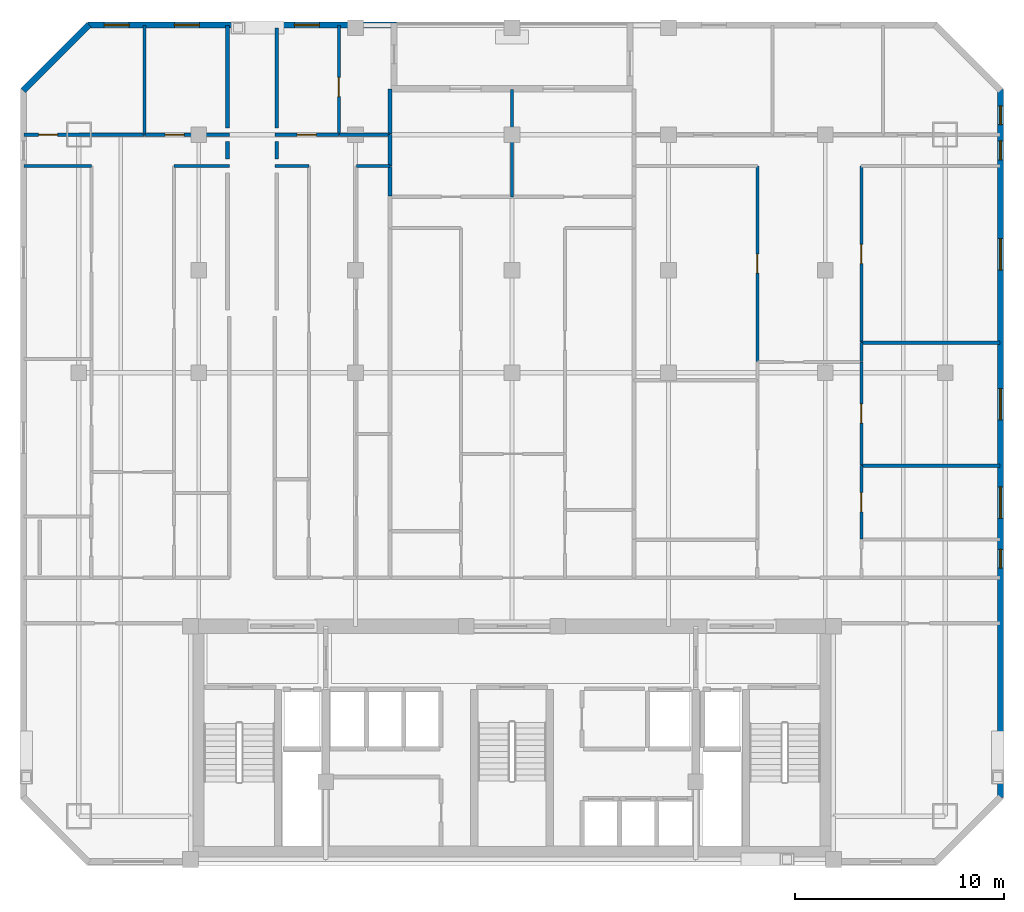
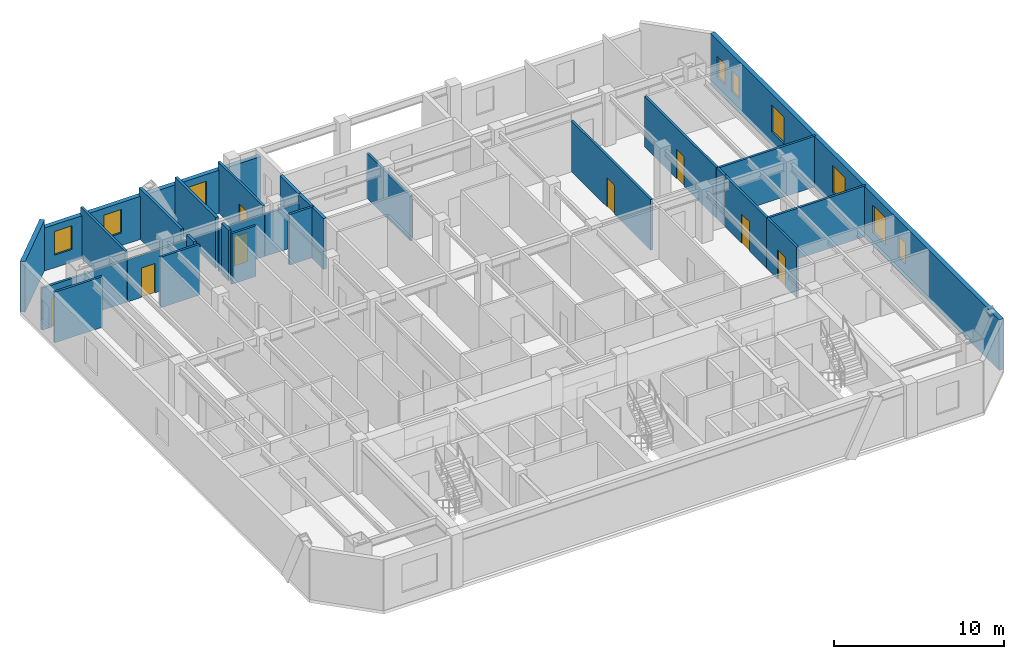
# One storey, part 6 of 8: 28 walls, 9 windows, 8 doors, 17 openings.
"""IFC4 building model written with IfcOpenShell, lengths in metres."""

from ifc_helpers import new_model, si_unit, direction, frame, frame_2d, origin, place, context, subcontext, project, spatial, rectangle, extrude, material, layer, layer_set, type_object, element, fill, save


model = new_model("IFC4")

# Units and contexts
model_context = context("Model", 3, precision=1e-05, world=origin(), true_north=direction((0.0, 1.0)))
body_context = subcontext(model_context, "Body", "Model", "MODEL_VIEW")
ifc_project = project(units=[si_unit("LENGTHUNIT", "METRE"), si_unit("AREAUNIT", "SQUARE_METRE"), si_unit("VOLUMEUNIT", "CUBIC_METRE"), si_unit("PLANEANGLEUNIT", "RADIAN"), si_unit("MASSUNIT", "GRAM", prefix="KILO")], contexts=[model_context])

# Site, building, storey
site_placement = place(None, origin())
site = spatial("IfcSite", under=ifc_project, at=site_placement, CompositionType="ELEMENT")
building_placement = place(site_placement, origin())
building = spatial("IfcBuilding", under=site, at=building_placement, Name="Ventersveld Concourse Tower", CompositionType="ELEMENT")
storey_placement = place(building_placement, frame((0.0, 0.0, 179.85009765625)))
storey = spatial("IfcBuildingStorey", under=building, at=storey_placement, Name="L44", CompositionType="ELEMENT", Elevation=179.85009765625)

# Walls
ifc_material_1 = material(Name="Fire-rated autoclaved aerated masonry blockwork", Category="masonry")
ifc_layer_1 = layer(ifc_material_1, 0.179931640625)
ifc_layer_set_1 = layer_set([ifc_layer_1], Name="Fire-rated autoclaved aerated masonry blockwork")
wall_type_1 = type_object("IfcWallType", Name="WL-CORR-180", PredefinedType="PARTITIONING", material=ifc_layer_set_1)
wall_1_placement = place(storey_placement, frame((15.1201171875, 34.675048828125, 0.0), z_axis=(0.0, 0.0, 1.0), x_axis=(0.0, -1.0, 0.0)))
element("IfcWall", 1, at=wall_1_placement, inside=storey, type_object=wall_type_1, Name="L44 Room Enclosure Wall SP-L44-44NW-LIV", PredefinedType="PARTITIONING", context=body_context, shape_type="SweptSolid", body=[
    extrude(rectangle(XDim=0.85009765625, YDim=0.179931640625, at=frame_2d((0.425048828125, 0.0))), origin(), (0.0, 0.0, 1.0), 3.6298828125),
])
wall_2_placement = place(storey_placement, frame((15.1201171875, 40.2275390625, 0.0), z_axis=(0.0, 0.0, 1.0), x_axis=(0.0, -1.0, 0.0)))
element("IfcWall", 2, at=wall_2_placement, inside=storey, type_object=wall_type_1, Name="L44 Room Enclosure Wall SP-L44-44NW-BR2", PredefinedType="PARTITIONING", context=body_context, shape_type="SweptSolid", body=[
    extrude(rectangle(XDim=4.902587890625, YDim=0.179931640625, at=frame_2d((2.451171875, 0.0))), origin(), (0.0, 0.0, 1.0), 3.6298828125),
])
wall_3_placement = place(storey_placement, frame((17.47998046875, 33.824951171875, 0.0), z_axis=(0.0, 0.0, 1.0), x_axis=(0.0, 1.0, 0.0)))
element("IfcWall", 3, at=wall_3_placement, inside=storey, type_object=wall_type_1, Name="L44 Room Enclosure Wall SP-L44-44CW-LIV", PredefinedType="PARTITIONING", context=body_context, shape_type="SweptSolid", body=[
    extrude(rectangle(XDim=0.85009765625, YDim=0.179931640625, at=frame_2d((0.425048828125, 0.0))), origin(), (0.0, 0.0, 1.0), 3.6298828125),
])
wall_4_placement = place(storey_placement, frame((17.47998046875, 35.324951171875, 0.0), z_axis=(0.0, 0.0, 1.0), x_axis=(0.0, 1.0, 0.0)))
element("IfcWall", 4, at=wall_4_placement, inside=storey, type_object=wall_type_1, Name="L44 Room Enclosure Wall SP-L44-44CW-BR1", PredefinedType="PARTITIONING", context=body_context, shape_type="SweptSolid", body=[
    extrude(rectangle(XDim=4.777099609375, YDim=0.179931640625, at=frame_2d((2.388671875, 0.0))), origin(), (0.0, 0.0, 1.0), 3.6298828125),
])
ifc_layer_2 = layer(ifc_material_1, 0.199951171875)
ifc_layer_set_2 = layer_set([ifc_layer_2], Name="Fire-rated autoclaved aerated masonry blockwork")
wall_type_2 = type_object("IfcWallType", Name="WL-DEMISE-200", PredefinedType="PARTITIONING", material=ifc_layer_set_2)
wall_5_placement = place(storey_placement, frame((22.909912109375, 33.4951171875, 0.0), z_axis=(0.0, 0.0, 1.0), x_axis=(0.0, 1.0, 0.0)))
element("IfcWall", 5, at=wall_5_placement, inside=storey, type_object=wall_type_2, Name="L44 Interior Partition SP-L44-44CW-LIV-SP-L44-44CM-BR1", PredefinedType="PARTITIONING", context=body_context, shape_type="SweptSolid", body=[
    extrude(rectangle(XDim=1.509765625, YDim=0.199951171875, at=frame_2d((0.7548828125, 0.0))), origin(), (0.0, 0.0, 1.0), 3.6298828125),
])
wall_6_placement = place(storey_placement, frame((22.909912109375, 32.06494140625, 0.0), z_axis=(0.0, 0.0, 1.0), x_axis=(0.0, 1.0, 0.0)))
element("IfcWall", 6, at=wall_6_placement, inside=storey, type_object=wall_type_2, Name="L44 Interior Partition SP-L44-44CW-SEMR1-SP-L44-44CM-BR1", PredefinedType="PARTITIONING", context=body_context, shape_type="SweptSolid", body=[
    extrude(rectangle(XDim=1.400146484375, YDim=0.199951171875, at=frame_2d((0.7001953125, 0.0))), origin(), (0.0, 0.0, 1.0), 3.6298828125),
])
wall_7_placement = place(storey_placement, frame((22.909912109375, 35.034912109375, 0.0), z_axis=(0.0, 0.0, 1.0), x_axis=(0.0, 1.0, 0.0)))
element("IfcWall", 7, at=wall_7_placement, inside=storey, type_object=wall_type_2, Name="L44 Interior Partition SP-L44-44CW-BR2-SP-L44-44CM-BR1", PredefinedType="PARTITIONING", context=body_context, shape_type="SweptSolid", body=[
    extrude(rectangle(XDim=2.148193359375, YDim=0.199951171875, at=frame_2d((1.07421875, 0.0))), origin(), (0.0, 0.0, 1.0), 3.6298828125),
])
ifc_material_2 = material(Name="Autoclaved aerated masonry blockwork", Category="masonry")
ifc_layer_3 = layer(ifc_material_2, 0.14990234375)
ifc_layer_set_3 = layer_set([ifc_layer_3], Name="Autoclaved aerated masonry blockwork")
wall_type_3 = type_object("IfcWallType", Name="WL-INT-150", PredefinedType="PARTITIONING", material=ifc_layer_set_3)
wall_8_placement = place(storey_placement, frame((5.37255859375, 33.5, 0.0), z_axis=(0.0, 0.0, 1.0), x_axis=(1.0, 0.0, 0.0)))
element("IfcWall", 8, at=wall_8_placement, inside=storey, type_object=wall_type_3, Name="L44 Interior Partition SP-L44-44NW-LIV-SP-L44-44NW-SEML2", PredefinedType="PARTITIONING", context=body_context, shape_type="SweptSolid", body=[
    extrude(rectangle(XDim=3.235107421875, YDim=0.14990234375, at=frame_2d((1.61767578125, 0.0))), origin(), (0.0, 0.0, 1.0), 3.6298828125),
])
wall_9_placement = place(storey_placement, frame((12.5576171875, 33.5, 0.0), z_axis=(0.0, 0.0, 1.0), x_axis=(1.0, 0.0, 0.0)))
element("IfcWall", 9, at=wall_9_placement, inside=storey, type_object=wall_type_3, Name="L44 Interior Partition SP-L44-44NW-LIV-SP-L44-44NW-SEMR1", PredefinedType="PARTITIONING", context=body_context, shape_type="SweptSolid", body=[
    extrude(rectangle(XDim=2.657470703125, YDim=0.14990234375, at=frame_2d((1.32861328125, 0.0))), origin(), (0.0, 0.0, 1.0), 3.6298828125),
])

# Wall, opening, door
wall_10_placement = place(storey_placement, frame((5.37255859375, 35.0, 0.0), z_axis=(0.0, 0.0, 1.0), x_axis=(1.0, 0.0, 0.0)))
wall_10 = element("IfcWall", 10, at=wall_10_placement, inside=storey, type_object=wall_type_3, Name="L44 Interior Partition SP-L44-44NW-LIV-SP-L44-44NW-BR1", PredefinedType="PARTITIONING", context=body_context, shape_type="SweptSolid", body=[
    extrude(rectangle(XDim=5.771240234375, YDim=0.14990234375, at=frame_2d((2.8857421875, 0.0))), origin(), (0.0, 0.0, 1.0), 3.0126953125),
])
opening_1_placement = place(wall_10_placement, frame((0.6943359375, 0.0, 0.0)))
opening_1 = element("IfcOpeningElement", 11, at=opening_1_placement, cuts=wall_10, Name="Opening ID1", PredefinedType="OPENING", context=body_context, shape_type="SweptSolid", body=[
    extrude(rectangle(XDim=0.919921875, YDim=2.10009765625, at=frame_2d((0.4599609375, 1.050048828125))), frame((0.0, 0.0849609375, 0.0), z_axis=(0.0, -1.0, 0.0), x_axis=(1.0, 0.0, 0.0)), (0.0, 0.0, 1.0), 0.169921875),
])
ifc_material_3 = material(Name="Solid-core hardwood veneer timber", Category="wood")
door_type = type_object("IfcDoorType", Name="DR-ROOM-092", OperationType="NOTDEFINED", PredefinedType="DOOR", material=ifc_material_3)
door_1_placement = place(opening_1_placement, origin())
door_1 = element("IfcDoor", 12, at=door_1_placement, inside=storey, type_object=door_type, Name="L44 Interior Door SP-L44-44NW-LIV to SP-L44-44NW-BR1 (D-L44-2164)", OperationType="SINGLE_SWING_RIGHT", OverallHeight=2.10009765625, OverallWidth=0.919921875, PredefinedType="DOOR", context=body_context, shape_type="SweptSolid", body=[
    extrude(rectangle(XDim=0.919921875, YDim=2.10009765625, at=frame_2d((0.4599609375, 1.050048828125))), frame((0.0, 0.02490234375, 0.0), z_axis=(0.0, -1.0, 0.0), x_axis=(1.0, 0.0, 0.0)), (0.0, 0.0, 1.0), 0.050048828125),
])
fill(opening_1, door_1)

wall_11_placement = place(storey_placement, frame((11.173828125, 35.0, 0.0), z_axis=(0.0, 0.0, 1.0), x_axis=(1.0, 0.0, 0.0)))
wall_11 = element("IfcWall", 13, at=wall_11_placement, inside=storey, type_object=wall_type_3, Name="L44 Interior Partition SP-L44-44NW-LIV-SP-L44-44NW-BR2", PredefinedType="PARTITIONING", context=body_context, shape_type="SweptSolid", body=[
    extrude(rectangle(XDim=4.041259765625, YDim=0.14990234375, at=frame_2d((2.0205078125, 0.0))), origin(), (0.0, 0.0, 1.0), 3.0126953125),
])
opening_2_placement = place(wall_11_placement, frame((0.954345703125, 0.0, 0.0)))
opening_2 = element("IfcOpeningElement", 14, at=opening_2_placement, cuts=wall_11, Name="Opening ID1", PredefinedType="OPENING", context=body_context, shape_type="SweptSolid", body=[
    extrude(rectangle(XDim=0.919921875, YDim=2.10009765625, at=frame_2d((0.4599609375, 1.050048828125))), frame((0.0, 0.0849609375, 0.0), z_axis=(0.0, -1.0, 0.0), x_axis=(1.0, 0.0, 0.0)), (0.0, 0.0, 1.0), 0.169921875),
])
door_2_placement = place(opening_2_placement, origin())
door_2 = element("IfcDoor", 15, at=door_2_placement, inside=storey, type_object=door_type, Name="L44 Interior Door SP-L44-44NW-LIV to SP-L44-44NW-BR2 (D-L44-2165)", OperationType="SINGLE_SWING_LEFT", OverallHeight=2.10009765625, OverallWidth=0.919921875, PredefinedType="DOOR", context=body_context, shape_type="SweptSolid", body=[
    extrude(rectangle(XDim=0.919921875, YDim=2.10009765625, at=frame_2d((0.4599609375, 1.050048828125))), frame((0.0, 0.02490234375, 0.0), z_axis=(0.0, -1.0, 0.0), x_axis=(1.0, 0.0, 0.0)), (0.0, 0.0, 1.0), 0.050048828125),
])
fill(opening_2, door_2)

# Walls
wall_12_placement = place(storey_placement, frame((11.138916015625, 34.9951171875, 0.0), z_axis=(0.0, 0.0, 1.0), x_axis=(0.0, 1.0, 0.0)))
element("IfcWall", 16, at=wall_12_placement, inside=storey, type_object=wall_type_3, Name="L44 Interior Partition SP-L44-44NW-BR1-SP-L44-44NW-BR2", PredefinedType="PARTITIONING", context=body_context, shape_type="SweptSolid", body=[
    extrude(rectangle(XDim=5.232421875, YDim=0.14990234375, at=frame_2d((2.6162109375, 0.0))), origin(), (0.0, 0.0, 1.0), 3.6298828125),
])
wall_13_placement = place(storey_placement, frame((17.385009765625, 33.5, 0.0), z_axis=(0.0, 0.0, 1.0), x_axis=(1.0, 0.0, 0.0)))
element("IfcWall", 17, at=wall_13_placement, inside=storey, type_object=wall_type_3, Name="L44 Interior Partition SP-L44-44CW-LIV-SP-L44-44CW-OFFL0", PredefinedType="PARTITIONING", context=body_context, shape_type="SweptSolid", body=[
    extrude(rectangle(XDim=1.64111328125, YDim=0.14990234375, at=frame_2d((0.820556640625, 0.0))), origin(), (0.0, 0.0, 1.0), 3.6298828125),
])
wall_14_placement = place(storey_placement, frame((21.296142578125, 33.5, 0.0), z_axis=(0.0, 0.0, 1.0), x_axis=(1.0, 0.0, 0.0)))
element("IfcWall", 18, at=wall_14_placement, inside=storey, type_object=wall_type_3, Name="L44 Interior Partition SP-L44-44CW-LIV-SP-L44-44CW-SEMR1", PredefinedType="PARTITIONING", context=body_context, shape_type="SweptSolid", body=[
    extrude(rectangle(XDim=1.618896484375, YDim=0.14990234375, at=frame_2d((0.8095703125, 0.0))), origin(), (0.0, 0.0, 1.0), 3.6298828125),
])

# Wall, opening, door
wall_15_placement = place(storey_placement, frame((17.385009765625, 35.0, 0.0), z_axis=(0.0, 0.0, 1.0), x_axis=(1.0, 0.0, 0.0)))
wall_15 = element("IfcWall", 19, at=wall_15_placement, inside=storey, type_object=wall_type_3, Name="L44 Interior Partition SP-L44-44CW-LIV-SP-L44-44CW-BR1", PredefinedType="PARTITIONING", context=body_context, shape_type="SweptSolid", body=[
    extrude(rectangle(XDim=3.073486328125, YDim=0.14990234375, at=frame_2d((1.53662109375, 0.0))), origin(), (0.0, 0.0, 1.0), 3.0126953125),
])
opening_3_placement = place(wall_15_placement, frame((1.07666015625, 0.0, 0.0)))
opening_3 = element("IfcOpeningElement", 20, at=opening_3_placement, cuts=wall_15, Name="Opening ID1", PredefinedType="OPENING", context=body_context, shape_type="SweptSolid", body=[
    extrude(rectangle(XDim=0.919921875, YDim=2.10009765625, at=frame_2d((0.4599609375, 1.050048828125))), frame((0.0, 0.0849609375, 0.0), z_axis=(0.0, -1.0, 0.0), x_axis=(1.0, 0.0, 0.0)), (0.0, 0.0, 1.0), 0.169921875),
])
door_3_placement = place(opening_3_placement, origin())
door_3 = element("IfcDoor", 21, at=door_3_placement, inside=storey, type_object=door_type, Name="L44 Interior Door SP-L44-44CW-LIV to SP-L44-44CW-BR1 (D-L44-2170)", OperationType="SINGLE_SWING_RIGHT", OverallHeight=2.10009765625, OverallWidth=0.919921875, PredefinedType="DOOR", context=body_context, shape_type="SweptSolid", body=[
    extrude(rectangle(XDim=0.919921875, YDim=2.10009765625, at=frame_2d((0.4599609375, 1.050048828125))), frame((0.0, 0.02490234375, 0.0), z_axis=(0.0, -1.0, 0.0), x_axis=(1.0, 0.0, 0.0)), (0.0, 0.0, 1.0), 0.050048828125),
])
fill(opening_3, door_3)

# Wall
wall_16_placement = place(storey_placement, frame((20.488525390625, 35.0, 0.0), z_axis=(0.0, 0.0, 1.0), x_axis=(1.0, 0.0, 0.0)))
element("IfcWall", 22, at=wall_16_placement, inside=storey, type_object=wall_type_3, Name="L44 Interior Partition SP-L44-44CW-LIV-SP-L44-44CW-BR2", PredefinedType="PARTITIONING", context=body_context, shape_type="SweptSolid", body=[
    extrude(rectangle(XDim=2.426513671875, YDim=0.14990234375, at=frame_2d((1.21337890625, 0.0))), origin(), (0.0, 0.0, 1.0), 3.0126953125),
])

# Wall, opening, door
wall_17_placement = place(storey_placement, frame((20.45361328125, 34.9951171875, 0.0), z_axis=(0.0, 0.0, 1.0), x_axis=(0.0, 1.0, 0.0)))
wall_17 = element("IfcWall", 23, at=wall_17_placement, inside=storey, type_object=wall_type_3, Name="L44 Interior Partition SP-L44-44CW-BR1-SP-L44-44CW-BR2", PredefinedType="PARTITIONING", context=body_context, shape_type="SweptSolid", body=[
    extrude(rectangle(XDim=5.232421875, YDim=0.14990234375, at=frame_2d((2.6162109375, 0.0))), origin(), (0.0, 0.0, 1.0), 3.6298828125),
])
opening_4_placement = place(wall_17_placement, frame((1.830078125, 0.0, 0.0)))
opening_4 = element("IfcOpeningElement", 24, at=opening_4_placement, cuts=wall_17, Name="Opening ID1", PredefinedType="OPENING", context=body_context, shape_type="SweptSolid", body=[
    extrude(rectangle(XDim=0.919921875, YDim=2.10009765625, at=frame_2d((0.4599609375, 1.050048828125))), frame((0.0, 0.0849609375, 0.0), z_axis=(0.0, -1.0, 0.0), x_axis=(1.0, 0.0, 0.0)), (0.0, 0.0, 1.0), 0.169921875),
])
door_4_placement = place(opening_4_placement, origin())
door_4 = element("IfcDoor", 25, at=door_4_placement, inside=storey, type_object=door_type, Name="L44 Interior Door Flat 44CW Bedroom 2 (D-L44-2192)", OperationType="SINGLE_SWING_LEFT", OverallHeight=2.10009765625, OverallWidth=0.919921875, PredefinedType="DOOR", context=body_context, shape_type="SweptSolid", body=[
    extrude(rectangle(XDim=0.919921875, YDim=2.10009765625, at=frame_2d((0.4599609375, 1.050048828125))), frame((0.0, 0.02490234375, 0.0), z_axis=(0.0, -1.0, 0.0), x_axis=(1.0, 0.0, 0.0)), (0.0, 0.0, 1.0), 0.050048828125),
])
fill(opening_4, door_4)

wall_18_placement = place(storey_placement, frame((45.4853515625, 15.638916015625, 0.0), z_axis=(0.0, 0.0, 1.0), x_axis=(0.0, 1.0, 0.0)))
wall_18 = element("IfcWall", 26, at=wall_18_placement, inside=storey, type_object=wall_type_3, Name="L44 Interior Partition SP-L44-44CE-FOY-SP-L44-44CE-SEMR1", PredefinedType="PARTITIONING", context=body_context, shape_type="SweptSolid", body=[
    extrude(rectangle(XDim=3.5087890625, YDim=0.14990234375, at=frame_2d((1.75439453125, 0.0))), origin(), (0.0, 0.0, 1.0), 3.6298828125),
])
opening_5_placement = place(wall_18_placement, frame((1.29443359375, 0.0, 0.0)))
opening_5 = element("IfcOpeningElement", 27, at=opening_5_placement, cuts=wall_18, Name="Opening ID1", PredefinedType="OPENING", context=body_context, shape_type="SweptSolid", body=[
    extrude(rectangle(XDim=0.919921875, YDim=2.10009765625, at=frame_2d((0.4599609375, 1.050048828125))), frame((0.0, 0.0849609375, 0.0), z_axis=(0.0, -1.0, 0.0), x_axis=(1.0, 0.0, 0.0)), (0.0, 0.0, 1.0), 0.169921875),
])
door_5_placement = place(opening_5_placement, origin())
door_5 = element("IfcDoor", 28, at=door_5_placement, inside=storey, type_object=door_type, Name="L44 Interior Door SP-L44-44CE-FOY to SP-L44-44CE-SEMR1 (D-L44-2176)", OperationType="SINGLE_SWING_RIGHT", OverallHeight=2.10009765625, OverallWidth=0.919921875, PredefinedType="DOOR", context=body_context, shape_type="SweptSolid", body=[
    extrude(rectangle(XDim=0.919921875, YDim=2.10009765625, at=frame_2d((0.4599609375, 1.050048828125))), frame((0.0, 0.02490234375, 0.0), z_axis=(0.0, -1.0, 0.0), x_axis=(1.0, 0.0, 0.0)), (0.0, 0.0, 1.0), 0.050048828125),
])
fill(opening_5, door_5)

wall_19_placement = place(storey_placement, frame((45.4853515625, 19.177490234375, 0.0), z_axis=(0.0, 0.0, 1.0), x_axis=(0.0, 1.0, 0.0)))
wall_19 = element("IfcWall", 29, at=wall_19_placement, inside=storey, type_object=wall_type_3, Name="L44 Interior Partition SP-L44-44CE-FOY-SP-L44-44CE-DENS", PredefinedType="PARTITIONING", context=body_context, shape_type="SweptSolid", body=[
    extrude(rectangle(XDim=4.933349609375, YDim=0.14990234375, at=frame_2d((2.466796875, 0.0))), origin(), (0.0, 0.0, 1.0), 3.6298828125),
])
opening_6_placement = place(wall_19_placement, frame((2.006591796875, 0.0, 0.0)))
opening_6 = element("IfcOpeningElement", 30, at=opening_6_placement, cuts=wall_19, Name="Opening ID1", PredefinedType="OPENING", context=body_context, shape_type="SweptSolid", body=[
    extrude(rectangle(XDim=0.919921875, YDim=2.10009765625, at=frame_2d((0.4599609375, 1.050048828125))), frame((0.0, 0.0849609375, 0.0), z_axis=(0.0, -1.0, 0.0), x_axis=(1.0, 0.0, 0.0)), (0.0, 0.0, 1.0), 0.169921875),
])
door_6_placement = place(opening_6_placement, origin())
door_6 = element("IfcDoor", 31, at=door_6_placement, inside=storey, type_object=door_type, Name="L44 Interior Door SP-L44-44CE-FOY to SP-L44-44CE-DENS (D-L44-2177)", OperationType="SINGLE_SWING_LEFT", OverallHeight=2.10009765625, OverallWidth=0.919921875, PredefinedType="DOOR", context=body_context, shape_type="SweptSolid", body=[
    extrude(rectangle(XDim=0.919921875, YDim=2.10009765625, at=frame_2d((0.4599609375, 1.050048828125))), frame((0.0, 0.02490234375, 0.0), z_axis=(0.0, -1.0, 0.0), x_axis=(1.0, 0.0, 0.0)), (0.0, 0.0, 1.0), 0.050048828125),
])
fill(opening_6, door_6)

wall_20_placement = place(storey_placement, frame((40.50537109375, 24.140869140625, 0.0), z_axis=(0.0, 0.0, 1.0), x_axis=(0.0, 1.0, 0.0)))
wall_20 = element("IfcWall", 32, at=wall_20_placement, inside=storey, type_object=wall_type_3, Name="L44 Interior Partition SP-L44-44CE-LIV-SP-L44-44CE-DENL2", PredefinedType="PARTITIONING", context=body_context, shape_type="SweptSolid", body=[
    extrude(rectangle(XDim=9.364013671875, YDim=0.14990234375, at=frame_2d((4.68212890625, 0.0))), origin(), (0.0, 0.0, 1.0), 3.6298828125),
])
opening_7_placement = place(wall_20_placement, frame((4.22216796875, 0.0, 0.0)))
opening_7 = element("IfcOpeningElement", 33, at=opening_7_placement, cuts=wall_20, Name="Opening ID1", PredefinedType="OPENING", context=body_context, shape_type="SweptSolid", body=[
    extrude(rectangle(XDim=0.919921875, YDim=2.10009765625, at=frame_2d((0.4599609375, 1.050048828125))), frame((0.0, 0.0849609375, 0.0), z_axis=(0.0, -1.0, 0.0), x_axis=(1.0, 0.0, 0.0)), (0.0, 0.0, 1.0), 0.169921875),
])
door_7_placement = place(opening_7_placement, origin())
door_7 = element("IfcDoor", 34, at=door_7_placement, inside=storey, type_object=door_type, Name="L44 Interior Door SP-L44-44CE-LIV to SP-L44-44CE-DENL2 (D-L44-2178)", OperationType="SINGLE_SWING_RIGHT", OverallHeight=2.10009765625, OverallWidth=0.919921875, PredefinedType="DOOR", context=body_context, shape_type="SweptSolid", body=[
    extrude(rectangle(XDim=0.919921875, YDim=2.10009765625, at=frame_2d((0.4599609375, 1.050048828125))), frame((0.0, 0.02490234375, 0.0), z_axis=(0.0, -1.0, 0.0), x_axis=(1.0, 0.0, 0.0)), (0.0, 0.0, 1.0), 0.050048828125),
])
fill(opening_7, door_7)

# Wall
wall_21_placement = place(storey_placement, frame((45.4853515625, 24.140869140625, 0.0), z_axis=(0.0, 0.0, 1.0), x_axis=(0.0, 1.0, 0.0)))
element("IfcWall", 35, at=wall_21_placement, inside=storey, type_object=wall_type_3, Name="L44 Interior Partition SP-L44-44CE-LIV-SP-L44-44CE-DENS", PredefinedType="PARTITIONING", context=body_context, shape_type="SweptSolid", body=[
    extrude(rectangle(XDim=0.900146484375, YDim=0.14990234375, at=frame_2d((0.4501953125, 0.0))), origin(), (0.0, 0.0, 1.0), 3.6298828125),
])

# Wall, opening, door
wall_22_placement = place(storey_placement, frame((45.4853515625, 25.071044921875, 0.0), z_axis=(0.0, 0.0, 1.0), x_axis=(0.0, 1.0, 0.0)))
wall_22 = element("IfcWall", 36, at=wall_22_placement, inside=storey, type_object=wall_type_3, Name="L44 Interior Partition SP-L44-44CE-LIV-SP-L44-44CE-DENS2", PredefinedType="PARTITIONING", context=body_context, shape_type="SweptSolid", body=[
    extrude(rectangle(XDim=8.433837890625, YDim=0.14990234375, at=frame_2d((4.216796875, 0.0))), origin(), (0.0, 0.0, 1.0), 3.6298828125),
])
opening_8_placement = place(wall_22_placement, frame((3.757080078125, 0.0, 0.0)))
opening_8 = element("IfcOpeningElement", 37, at=opening_8_placement, cuts=wall_22, Name="Opening ID1", PredefinedType="OPENING", context=body_context, shape_type="SweptSolid", body=[
    extrude(rectangle(XDim=0.919921875, YDim=2.10009765625, at=frame_2d((0.4599609375, 1.050048828125))), frame((0.0, 0.0849609375, 0.0), z_axis=(0.0, -1.0, 0.0), x_axis=(1.0, 0.0, 0.0)), (0.0, 0.0, 1.0), 0.169921875),
])
door_8_placement = place(opening_8_placement, origin())
door_8 = element("IfcDoor", 38, at=door_8_placement, inside=storey, type_object=door_type, Name="L44 Interior Door SP-L44-44CE-LIV to SP-L44-44CE-DENS2 (D-L44-2179)", OperationType="SINGLE_SWING_LEFT", OverallHeight=2.10009765625, OverallWidth=0.919921875, PredefinedType="DOOR", context=body_context, shape_type="SweptSolid", body=[
    extrude(rectangle(XDim=0.919921875, YDim=2.10009765625, at=frame_2d((0.4599609375, 1.050048828125))), frame((0.0, 0.02490234375, 0.0), z_axis=(0.0, -1.0, 0.0), x_axis=(1.0, 0.0, 0.0)), (0.0, 0.0, 1.0), 0.050048828125),
])
fill(opening_8, door_8)

# Walls
for number, where, z_axis, x_axis, name in (
    (39, (45.480224609375, 19.142578125, 0.0), (0.0, 0.0, 1.0), (1.0, 0.0, 0.0), "L44 Interior Partition SP-L44-44CE-SEMR1-SP-L44-44CE-DENS"),
    (40, (45.480224609375, 25.035888671875, 0.0), (0.0, 0.0, 1.0), (1.0, 0.0, 0.0), "L44 Interior Partition SP-L44-44CE-DENS-SP-L44-44CE-DENS2"),
):
    element("IfcWall", number, at=place(storey_placement, frame(where, z_axis=z_axis, x_axis=x_axis)), inside=storey, type_object=wall_type_3, Name=name, PredefinedType="PARTITIONING", context=body_context, shape_type="SweptSolid", body=[
        extrude(rectangle(XDim=6.647216796875, YDim=0.14990234375, at=frame_2d((3.32373046875, 0.0))), origin(), (0.0, 0.0, 1.0), 3.6298828125),
    ])
wall_23_placement = place(storey_placement, frame((28.75, 32.02490234375, 0.0), z_axis=(0.0, 0.0, 1.0), x_axis=(0.0, 1.0, 0.0)))
element("IfcWall", 41, at=wall_23_placement, inside=storey, type_object=wall_type_3, Name="L44 Interior Partition SP-L44-44CM-BR1-SP-L44-44CM-BR2", PredefinedType="PARTITIONING", context=body_context, shape_type="SweptSolid", body=[
    extrude(rectangle(XDim=5.152587890625, YDim=0.14990234375, at=frame_2d((2.576171875, 0.0))), origin(), (0.0, 0.0, 1.0), 3.223388671875),
])

# Wall, openings, windows
ifc_material_4 = material(Name="Precast concrete C45/55", Category="concrete")
ifc_layer_4 = layer(ifc_material_4, 0.300048828125)
ifc_layer_set_4 = layer_set([ifc_layer_4], Name="Precast concrete C45/55")
wall_type_4 = type_object("IfcWallType", Name="WL-PREC-300", PredefinedType="SOLIDWALL", material=ifc_layer_set_4)
wall_24_placement = place(storey_placement, frame((52.14990234375, 3.239990234375, 0.0), z_axis=(0.0, 0.0, 1.0), x_axis=(0.0, 1.0, 0.0)))
wall_24 = element("IfcWall", 42, at=wall_24_placement, inside=storey, type_object=wall_type_4, Name="L44 Highveld Precast Facade Wall E03", PredefinedType="SOLIDWALL", context=body_context, shape_type="SweptSolid", body=[
    extrude(rectangle(XDim=33.919921875, YDim=0.300048828125, at=frame_2d((16.9599609375, 0.0))), origin(), (0.0, 0.0, 1.0), 3.6298828125),
])
opening_9_placement = place(wall_24_placement, frame((30.56005859375, 0.0, 0.949951171875)))
opening_9 = element("IfcOpeningElement", 43, at=opening_9_placement, cuts=wall_24, Name="Opening W4", PredefinedType="OPENING", context=body_context, shape_type="SweptSolid", body=[
    extrude(rectangle(XDim=0.89990234375, YDim=1.5, at=frame_2d((0.449951171875, 0.75))), frame((0.0, 0.16015625, 0.0), z_axis=(0.0, -1.0, 0.0), x_axis=(1.0, 0.0, 0.0)), (0.0, 0.0, 1.0), 0.320068359375),
])
opening_10_placement = place(wall_24_placement, frame((10.996826171875, 0.0, 0.949951171875)))
opening_10 = element("IfcOpeningElement", 44, at=opening_10_placement, cuts=wall_24, Name="Opening W4", PredefinedType="OPENING", context=body_context, shape_type="SweptSolid", body=[
    extrude(rectangle(XDim=0.89990234375, YDim=1.5, at=frame_2d((0.449951171875, 0.75))), frame((0.0, 0.16015625, 0.0), z_axis=(0.0, -1.0, 0.0), x_axis=(1.0, 0.0, 0.0)), (0.0, 0.0, 1.0), 0.320068359375),
])
opening_11_placement = place(wall_24_placement, frame((13.38330078125, 0.0, 0.89990234375)))
opening_11 = element("IfcOpeningElement", 45, at=opening_11_placement, cuts=wall_24, Name="Opening W1", PredefinedType="OPENING", context=body_context, shape_type="SweptSolid", body=[
    extrude(rectangle(XDim=1.5, YDim=1.949951171875, at=frame_2d((0.75, 0.97509765625))), frame((0.0, 0.16015625, 0.0), z_axis=(0.0, -1.0, 0.0), x_axis=(1.0, 0.0, 0.0)), (0.0, 0.0, 1.0), 0.320068359375),
])
opening_12_placement = place(wall_24_placement, frame((18.099365234375, 0.0, 0.89990234375)))
opening_12 = element("IfcOpeningElement", 46, at=opening_12_placement, cuts=wall_24, Name="Opening W1", PredefinedType="OPENING", context=body_context, shape_type="SweptSolid", body=[
    extrude(rectangle(XDim=1.5, YDim=1.949951171875, at=frame_2d((0.75, 0.97509765625))), frame((0.0, 0.16015625, 0.0), z_axis=(0.0, -1.0, 0.0), x_axis=(1.0, 0.0, 0.0)), (0.0, 0.0, 1.0), 0.320068359375),
])
opening_13_placement = place(wall_24_placement, frame((25.278076171875, 0.0, 0.89990234375)))
opening_13 = element("IfcOpeningElement", 47, at=opening_13_placement, cuts=wall_24, Name="Opening W1", PredefinedType="OPENING", context=body_context, shape_type="SweptSolid", body=[
    extrude(rectangle(XDim=1.5, YDim=1.949951171875, at=frame_2d((0.75, 0.97509765625))), frame((0.0, 0.16015625, 0.0), z_axis=(0.0, -1.0, 0.0), x_axis=(1.0, 0.0, 0.0)), (0.0, 0.0, 1.0), 0.320068359375),
])
opening_14_placement = place(wall_24_placement, frame((32.239990234375, 0.0, 0.949951171875)))
opening_14 = element("IfcOpeningElement", 48, at=opening_14_placement, cuts=wall_24, Name="Opening W4", PredefinedType="OPENING", context=body_context, shape_type="SweptSolid", body=[
    extrude(rectangle(XDim=0.89990234375, YDim=1.5, at=frame_2d((0.449951171875, 0.75))), frame((0.0, 0.16015625, 0.0), z_axis=(0.0, -1.0, 0.0), x_axis=(1.0, 0.0, 0.0)), (0.0, 0.0, 1.0), 0.320068359375),
])
ifc_material_5 = material(Name="Tempered acoustic Low-E IGU", Category="glass")
window_type_1 = type_object("IfcWindowType", Name="WIN-090x150", PartitioningType="SINGLE_PANEL", PredefinedType="WINDOW", material=ifc_material_5)
window_1_placement = place(opening_9_placement, origin())
window_1 = element("IfcWindow", 49, at=window_1_placement, inside=storey, type_object=window_type_1, Name="L44 Punched Low-E Window W-0609", OverallHeight=1.5, OverallWidth=0.89990234375, PartitioningType="SINGLE_PANEL", PredefinedType="WINDOW", context=body_context, shape_type="SweptSolid", body=[
    extrude(rectangle(XDim=0.89990234375, YDim=1.5, at=frame_2d((0.449951171875, 0.75))), frame((0.0, 0.030029296875, 0.0), z_axis=(0.0, -1.0, 0.0), x_axis=(1.0, 0.0, 0.0)), (0.0, 0.0, 1.0), 0.06005859375),
])
fill(opening_9, window_1)
window_2_placement = place(opening_10_placement, origin())
window_2 = element("IfcWindow", 50, at=window_2_placement, inside=storey, type_object=window_type_1, Name="L44 Punched Low-E Window W-0610", OverallHeight=1.5, OverallWidth=0.89990234375, PartitioningType="SINGLE_PANEL", PredefinedType="WINDOW", context=body_context, shape_type="SweptSolid", body=[
    extrude(rectangle(XDim=0.89990234375, YDim=1.5, at=frame_2d((0.449951171875, 0.75))), frame((0.0, 0.030029296875, 0.0), z_axis=(0.0, -1.0, 0.0), x_axis=(1.0, 0.0, 0.0)), (0.0, 0.0, 1.0), 0.06005859375),
])
fill(opening_10, window_2)
window_3_placement = place(opening_14_placement, origin())
window_3 = element("IfcWindow", 51, at=window_3_placement, inside=storey, type_object=window_type_1, Name="L44 Punched Low-E Window W-0616", OverallHeight=1.5, OverallWidth=0.89990234375, PartitioningType="SINGLE_PANEL", PredefinedType="WINDOW", context=body_context, shape_type="SweptSolid", body=[
    extrude(rectangle(XDim=0.89990234375, YDim=1.5, at=frame_2d((0.449951171875, 0.75))), frame((0.0, 0.030029296875, 0.0), z_axis=(0.0, -1.0, 0.0), x_axis=(1.0, 0.0, 0.0)), (0.0, 0.0, 1.0), 0.06005859375),
])
fill(opening_14, window_3)
window_type_2 = type_object("IfcWindowType", Name="WIN-150x210", PartitioningType="SINGLE_PANEL", PredefinedType="WINDOW", material=ifc_material_5)
window_4_placement = place(opening_11_placement, origin())
window_4 = element("IfcWindow", 52, at=window_4_placement, inside=storey, type_object=window_type_2, Name="L44 Punched Low-E Window W-0611", OverallHeight=1.949951171875, OverallWidth=1.5, PartitioningType="SINGLE_PANEL", PredefinedType="WINDOW", context=body_context, shape_type="SweptSolid", body=[
    extrude(rectangle(XDim=1.5, YDim=1.949951171875, at=frame_2d((0.75, 0.97509765625))), frame((0.0, 0.030029296875, 0.0), z_axis=(0.0, -1.0, 0.0), x_axis=(1.0, 0.0, 0.0)), (0.0, 0.0, 1.0), 0.06005859375),
])
fill(opening_11, window_4)
window_5_placement = place(opening_12_placement, origin())
window_5 = element("IfcWindow", 53, at=window_5_placement, inside=storey, type_object=window_type_2, Name="L44 Punched Low-E Window W-0612", OverallHeight=1.949951171875, OverallWidth=1.5, PartitioningType="SINGLE_PANEL", PredefinedType="WINDOW", context=body_context, shape_type="SweptSolid", body=[
    extrude(rectangle(XDim=1.5, YDim=1.949951171875, at=frame_2d((0.75, 0.97509765625))), frame((0.0, 0.030029296875, 0.0), z_axis=(0.0, -1.0, 0.0), x_axis=(1.0, 0.0, 0.0)), (0.0, 0.0, 1.0), 0.06005859375),
])
fill(opening_12, window_5)
window_6_placement = place(opening_13_placement, origin())
window_6 = element("IfcWindow", 54, at=window_6_placement, inside=storey, type_object=window_type_2, Name="L44 Punched Low-E Window W-0613", OverallHeight=1.949951171875, OverallWidth=1.5, PartitioningType="SINGLE_PANEL", PredefinedType="WINDOW", context=body_context, shape_type="SweptSolid", body=[
    extrude(rectangle(XDim=1.5, YDim=1.949951171875, at=frame_2d((0.75, 0.97509765625))), frame((0.0, 0.030029296875, 0.0), z_axis=(0.0, -1.0, 0.0), x_axis=(1.0, 0.0, 0.0)), (0.0, 0.0, 1.0), 0.06005859375),
])
fill(opening_13, window_6)

wall_25_placement = place(storey_placement, frame((23.2099609375, 40.25, 0.0), z_axis=(0.0, 0.0, 1.0), x_axis=(-1.0, 0.0, 0.0)))
wall_25 = element("IfcWall", 55, at=wall_25_placement, inside=storey, type_object=wall_type_4, Name="L44 Highveld Precast Facade Wall E09", PredefinedType="SOLIDWALL", context=body_context, shape_type="SweptSolid", body=[
    extrude(rectangle(XDim=14.77001953125, YDim=0.300048828125, at=frame_2d((7.385009765625, 0.0))), origin(), (0.0, 0.0, 1.0), 3.08544921875),
])
opening_15_placement = place(wall_25_placement, frame((12.800048828125, 0.0, 0.89990234375)))
opening_15 = element("IfcOpeningElement", 56, at=opening_15_placement, cuts=wall_25, Name="Opening W3", PredefinedType="OPENING", context=body_context, shape_type="SweptSolid", body=[
    extrude(rectangle(XDim=1.199951171875, YDim=1.699951171875, at=frame_2d((0.60009765625, 0.85009765625))), frame((0.0, 0.16015625, 0.0), z_axis=(0.0, -1.0, 0.0), x_axis=(1.0, 0.0, 0.0)), (0.0, 0.0, 1.0), 0.320068359375),
])
opening_16_placement = place(wall_25_placement, frame((9.435546875, 0.0, 0.89990234375)))
opening_16 = element("IfcOpeningElement", 57, at=opening_16_placement, cuts=wall_25, Name="Opening W3", PredefinedType="OPENING", context=body_context, shape_type="SweptSolid", body=[
    extrude(rectangle(XDim=1.199951171875, YDim=1.699951171875, at=frame_2d((0.60009765625, 0.85009765625))), frame((0.0, 0.16015625, 0.0), z_axis=(0.0, -1.0, 0.0), x_axis=(1.0, 0.0, 0.0)), (0.0, 0.0, 1.0), 0.320068359375),
])
opening_17_placement = place(wall_25_placement, frame((3.688232421875, 0.0, 0.89990234375)))
opening_17 = element("IfcOpeningElement", 58, at=opening_17_placement, cuts=wall_25, Name="Opening W3", PredefinedType="OPENING", context=body_context, shape_type="SweptSolid", body=[
    extrude(rectangle(XDim=1.199951171875, YDim=1.699951171875, at=frame_2d((0.60009765625, 0.85009765625))), frame((0.0, 0.16015625, 0.0), z_axis=(0.0, -1.0, 0.0), x_axis=(1.0, 0.0, 0.0)), (0.0, 0.0, 1.0), 0.320068359375),
])
window_type_3 = type_object("IfcWindowType", Name="WIN-120x180", PartitioningType="SINGLE_PANEL", PredefinedType="WINDOW", material=ifc_material_5)
window_7_placement = place(opening_15_placement, origin())
window_7 = element("IfcWindow", 59, at=window_7_placement, inside=storey, type_object=window_type_3, Name="L44 Punched Low-E Window W-0605", OverallHeight=1.699951171875, OverallWidth=1.199951171875, PartitioningType="SINGLE_PANEL", PredefinedType="WINDOW", context=body_context, shape_type="SweptSolid", body=[
    extrude(rectangle(XDim=1.199951171875, YDim=1.699951171875, at=frame_2d((0.60009765625, 0.85009765625))), frame((0.0, 0.030029296875, 0.0), z_axis=(0.0, -1.0, 0.0), x_axis=(1.0, 0.0, 0.0)), (0.0, 0.0, 1.0), 0.06005859375),
])
fill(opening_15, window_7)
window_8_placement = place(opening_16_placement, origin())
window_8 = element("IfcWindow", 60, at=window_8_placement, inside=storey, type_object=window_type_3, Name="L44 Punched Low-E Window W-0606", OverallHeight=1.699951171875, OverallWidth=1.199951171875, PartitioningType="SINGLE_PANEL", PredefinedType="WINDOW", context=body_context, shape_type="SweptSolid", body=[
    extrude(rectangle(XDim=1.199951171875, YDim=1.699951171875, at=frame_2d((0.60009765625, 0.85009765625))), frame((0.0, 0.030029296875, 0.0), z_axis=(0.0, -1.0, 0.0), x_axis=(1.0, 0.0, 0.0)), (0.0, 0.0, 1.0), 0.06005859375),
])
fill(opening_16, window_8)
window_9_placement = place(opening_17_placement, origin())
window_9 = element("IfcWindow", 61, at=window_9_placement, inside=storey, type_object=window_type_3, Name="L44 Punched Low-E Window W-0607", OverallHeight=1.699951171875, OverallWidth=1.199951171875, PartitioningType="SINGLE_PANEL", PredefinedType="WINDOW", context=body_context, shape_type="SweptSolid", body=[
    extrude(rectangle(XDim=1.199951171875, YDim=1.699951171875, at=frame_2d((0.60009765625, 0.85009765625))), frame((0.0, 0.030029296875, 0.0), z_axis=(0.0, -1.0, 0.0), x_axis=(1.0, 0.0, 0.0)), (0.0, 0.0, 1.0), 0.06005859375),
])
fill(opening_17, window_9)

# Wall
wall_26_placement = place(storey_placement, frame((8.477783203125, 40.265625, 0.0), z_axis=(0.0, 0.0, 1.0), x_axis=(-0.707106781187, -0.707106781187, 0.0)))
element("IfcWall", 62, at=wall_26_placement, inside=storey, type_object=wall_type_4, Name="L44 Highveld Precast Facade Wall E10", PredefinedType="SOLIDWALL", context=body_context, shape_type="SweptSolid", body=[
    extrude(rectangle(XDim=4.4453125, YDim=0.300048828125, at=frame_2d((2.22265625, 0.0))), origin(), (0.0, 0.0, 1.0), 3.6298828125),
])

save(model, "model.ifc")
